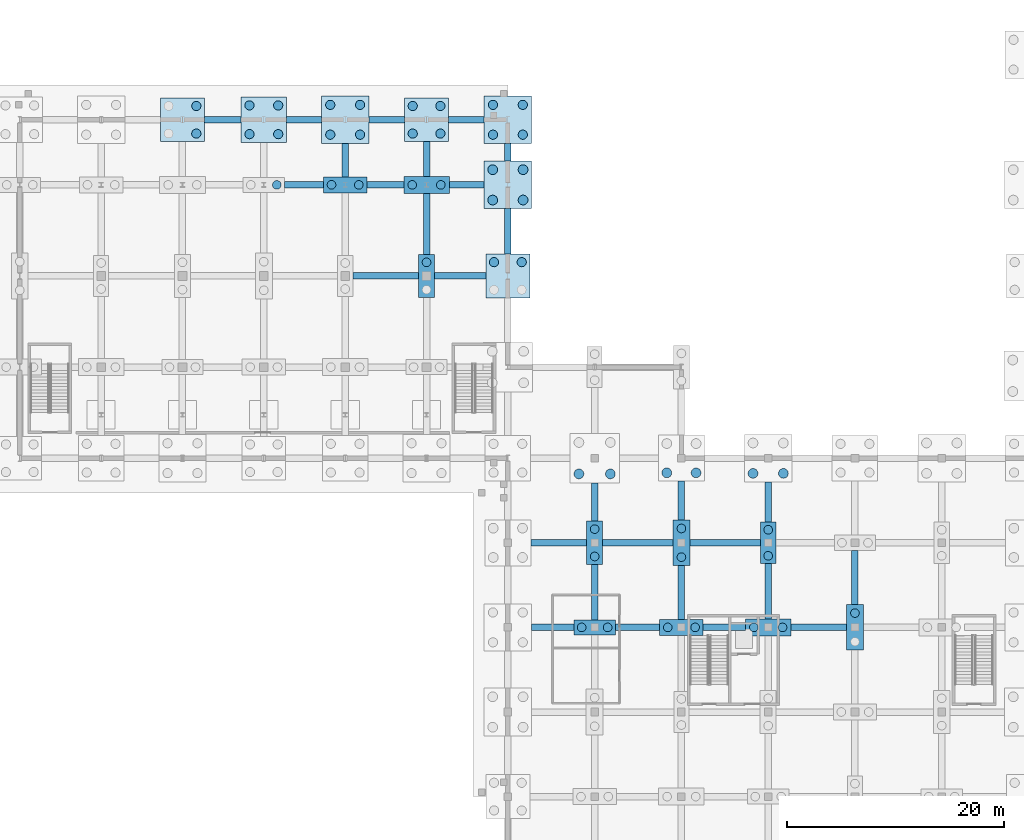
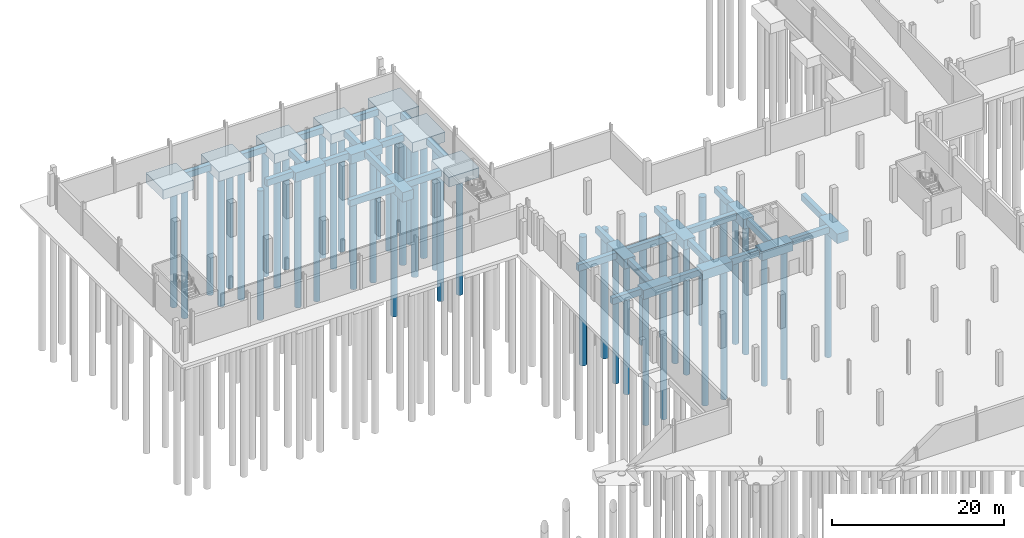
# One storey, part 8 of 44: 49 piles, 45 footings.
"""IFC4 building model written with IfcOpenShell, lengths in metres."""

from ifc_helpers import new_model, si_unit, direction, frame, origin, origin_2d, place, context, subcontext, project, spatial, polyline, rectangle, circle, outline, extrude, material, material_profile, profile_set, type_object, element, save


model = new_model("IFC4")

# Units and contexts
model_context = context("Model", 3, precision=1e-05, world=origin(), true_north=direction((0.0, 1.0)))
body_context = subcontext(model_context, "Body", "Model", "MODEL_VIEW")
ifc_project = project(units=[si_unit("LENGTHUNIT", "METRE"), si_unit("AREAUNIT", "SQUARE_METRE"), si_unit("VOLUMEUNIT", "CUBIC_METRE"), si_unit("PLANEANGLEUNIT", "RADIAN"), si_unit("MASSUNIT", "GRAM", prefix="KILO")], contexts=[model_context])

# Site, building, storey
site_placement = place(None, origin())
site = spatial("IfcSite", under=ifc_project, at=site_placement, CompositionType="ELEMENT")
building_placement = place(site_placement, origin())
building = spatial("IfcBuilding", under=site, at=building_placement, Name="Yukiwa Park Conservatory and Herbarium", CompositionType="ELEMENT")
storey_placement = place(building_placement, frame((0.0, 0.0, -4.800048828125)))
storey = spatial("IfcBuildingStorey", under=building, at=storey_placement, Name="B1", CompositionType="ELEMENT", Elevation=-4.800048828125)

# Footings
ifc_material_1 = material(Name="Concrete C35", Category="concrete")
footing_type_1 = type_object("IfcFootingType", Name="FT-BEAM-600X900", PredefinedType="FOOTING_BEAM", material=ifc_material_1)
footing_1_placement = place(storey_placement, frame((0.0, 0.0, -1.349853515625)))
element("IfcFooting", 1, at=footing_1_placement, inside=storey, type_object=footing_type_1, Name="Foundation tie beam X-76", PredefinedType="FOOTING_BEAM", context=body_context, shape_type="SweptSolid", body=[
    extrude(outline(polyline([(62.179931640625, 62.10009765625), (66.10009765625, 62.10009765625), (66.10009765625, 62.699951171875), (62.179931640625, 62.699951171875), (62.179931640625, 62.10009765625)])), origin(), (0.0, 0.0, 1.0), 0.89990234375),
])
footing_2_placement = place(storey_placement, frame((0.0, 0.0, -1.349853515625)))
element("IfcFooting", 2, at=footing_2_placement, inside=storey, type_object=footing_type_1, Name="Foundation tie beam X-77", PredefinedType="FOOTING_BEAM", context=body_context, shape_type="SweptSolid", body=[
    extrude(outline(polyline([(69.89990234375, 62.10009765625), (74.0, 62.10009765625), (74.0, 62.699951171875), (69.89990234375, 62.699951171875), (69.89990234375, 62.10009765625)])), origin(), (0.0, 0.0, 1.0), 0.89990234375),
])
footing_3_placement = place(storey_placement, frame((0.0, 0.0, -1.349853515625)))
element("IfcFooting", 3, at=footing_3_placement, inside=storey, type_object=footing_type_1, Name="Foundation tie beam X-78", PredefinedType="FOOTING_BEAM", context=body_context, shape_type="SweptSolid", body=[
    extrude(outline(polyline([(78.0, 62.10009765625), (81.89990234375, 62.10009765625), (81.89990234375, 62.699951171875), (78.0, 62.699951171875), (78.0, 62.10009765625)])), origin(), (0.0, 0.0, 1.0), 0.89990234375),
])
footing_4_placement = place(storey_placement, frame((0.0, 0.0, -1.349853515625)))
element("IfcFooting", 4, at=footing_4_placement, inside=storey, type_object=footing_type_1, Name="Foundation tie beam X-79", PredefinedType="FOOTING_BEAM", context=body_context, shape_type="SweptSolid", body=[
    extrude(outline(polyline([(86.10009765625, 62.10009765625), (91.219970703125, 62.10009765625), (91.219970703125, 62.699951171875), (86.10009765625, 62.699951171875), (86.10009765625, 62.10009765625)])), origin(), (0.0, 0.0, 1.0), 0.89990234375),
])
footing_5_placement = place(storey_placement, frame((0.0, 0.0, -1.349853515625)))
element("IfcFooting", 5, at=footing_5_placement, inside=storey, type_object=footing_type_1, Name="Foundation tie beam X-82", PredefinedType="FOOTING_BEAM", context=body_context, shape_type="SweptSolid", body=[
    extrude(outline(polyline([(62.1201171875, 69.89990234375), (67.260009765625, 69.89990234375), (67.260009765625, 70.5), (62.1201171875, 70.5), (62.1201171875, 69.89990234375)])), origin(), (0.0, 0.0, 1.0), 0.89990234375),
])
footing_6_placement = place(storey_placement, frame((0.0, 0.0, -1.349853515625)))
element("IfcFooting", 6, at=footing_6_placement, inside=storey, type_object=footing_type_1, Name="Foundation tie beam X-83", PredefinedType="FOOTING_BEAM", context=body_context, shape_type="SweptSolid", body=[
    extrude(outline(polyline([(68.739990234375, 69.89990234375), (75.219970703125, 69.89990234375), (75.219970703125, 70.5), (68.739990234375, 70.5), (68.739990234375, 69.89990234375)])), origin(), (0.0, 0.0, 1.0), 0.89990234375),
])
footing_7_placement = place(storey_placement, frame((0.0, 0.0, -1.349853515625)))
element("IfcFooting", 7, at=footing_7_placement, inside=storey, type_object=footing_type_1, Name="Foundation tie beam X-84", PredefinedType="FOOTING_BEAM", context=body_context, shape_type="SweptSolid", body=[
    extrude(outline(polyline([(76.780029296875, 69.89990234375), (83.300048828125, 69.89990234375), (83.300048828125, 70.5), (76.780029296875, 70.5), (76.780029296875, 69.89990234375)])), origin(), (0.0, 0.0, 1.0), 0.89990234375),
])
footing_8_placement = place(storey_placement, frame((0.0, 0.0, -1.349853515625)))
element("IfcFooting", 8, at=footing_8_placement, inside=storey, type_object=footing_type_1, Name="Foundation tie beam X-125", PredefinedType="FOOTING_BEAM", context=body_context, shape_type="SweptSolid", body=[
    extrude(outline(polyline([(45.699951171875, 94.5), (51.760009765625, 94.5), (51.760009765625, 95.10009765625), (45.699951171875, 95.10009765625), (45.699951171875, 94.5)])), origin(), (0.0, 0.0, 1.0), 0.89990234375),
])
footing_9_placement = place(storey_placement, frame((0.0, 0.0, -1.349853515625)))
element("IfcFooting", 9, at=footing_9_placement, inside=storey, type_object=footing_type_1, Name="Foundation tie beam X-126", PredefinedType="FOOTING_BEAM", context=body_context, shape_type="SweptSolid", body=[
    extrude(outline(polyline([(53.239990234375, 94.5), (57.97998046875, 94.5), (57.97998046875, 95.10009765625), (53.239990234375, 95.10009765625), (53.239990234375, 94.5)])), origin(), (0.0, 0.0, 1.0), 0.89990234375),
])
footing_10_placement = place(storey_placement, frame((0.0, 0.0, -1.349853515625)))
element("IfcFooting", 10, at=footing_10_placement, inside=storey, type_object=footing_type_1, Name="Foundation tie beam X-137", PredefinedType="FOOTING_BEAM", context=body_context, shape_type="SweptSolid", body=[
    extrude(outline(polyline([(39.39990234375, 102.89990234375), (43.0, 102.89990234375), (43.0, 103.5), (39.39990234375, 103.5), (39.39990234375, 102.89990234375)])), origin(), (0.0, 0.0, 1.0), 0.89990234375),
])
footing_11_placement = place(storey_placement, frame((0.0, 0.0, -1.349853515625)))
element("IfcFooting", 11, at=footing_11_placement, inside=storey, type_object=footing_type_1, Name="Foundation tie beam X-138", PredefinedType="FOOTING_BEAM", context=body_context, shape_type="SweptSolid", body=[
    extrude(outline(polyline([(47.0, 102.89990234375), (50.39990234375, 102.89990234375), (50.39990234375, 103.5), (47.0, 103.5), (47.0, 102.89990234375)])), origin(), (0.0, 0.0, 1.0), 0.89990234375),
])
footing_12_placement = place(storey_placement, frame((0.0, 0.0, -1.349853515625)))
element("IfcFooting", 12, at=footing_12_placement, inside=storey, type_object=footing_type_1, Name="Foundation tie beam X-139", PredefinedType="FOOTING_BEAM", context=body_context, shape_type="SweptSolid", body=[
    extrude(outline(polyline([(54.60009765625, 102.89990234375), (57.800048828125, 102.89990234375), (57.800048828125, 103.5), (54.60009765625, 103.5), (54.60009765625, 102.89990234375)])), origin(), (0.0, 0.0, 1.0), 0.89990234375),
])
footing_13_placement = place(storey_placement, frame((0.0, 0.0, -1.349853515625)))
element("IfcFooting", 13, at=footing_13_placement, inside=storey, type_object=footing_type_1, Name="Foundation tie beam X-149", PredefinedType="FOOTING_BEAM", context=body_context, shape_type="SweptSolid", body=[
    extrude(outline(polyline([(32.02001953125, 108.89990234375), (35.39990234375, 108.89990234375), (35.39990234375, 109.5), (32.02001953125, 109.5), (32.02001953125, 108.89990234375)])), origin(), (0.0, 0.0, 1.0), 0.89990234375),
])
footing_14_placement = place(storey_placement, frame((0.0, 0.0, -1.349853515625)))
element("IfcFooting", 14, at=footing_14_placement, inside=storey, type_object=footing_type_1, Name="Foundation tie beam X-150", PredefinedType="FOOTING_BEAM", context=body_context, shape_type="SweptSolid", body=[
    extrude(outline(polyline([(39.60009765625, 108.89990234375), (42.820068359375, 108.89990234375), (42.820068359375, 109.5), (39.60009765625, 109.5), (39.60009765625, 108.89990234375)])), origin(), (0.0, 0.0, 1.0), 0.89990234375),
])
footing_15_placement = place(storey_placement, frame((0.0, 0.0, -1.349853515625)))
element("IfcFooting", 15, at=footing_15_placement, inside=storey, type_object=footing_type_1, Name="Foundation tie beam X-151", PredefinedType="FOOTING_BEAM", context=body_context, shape_type="SweptSolid", body=[
    extrude(outline(polyline([(47.179931640625, 108.89990234375), (50.47998046875, 108.89990234375), (50.47998046875, 109.5), (47.179931640625, 109.5), (47.179931640625, 108.89990234375)])), origin(), (0.0, 0.0, 1.0), 0.89990234375),
])
footing_16_placement = place(storey_placement, frame((0.0, 0.0, -1.349853515625)))
element("IfcFooting", 16, at=footing_16_placement, inside=storey, type_object=footing_type_1, Name="Foundation tie beam X-152", PredefinedType="FOOTING_BEAM", context=body_context, shape_type="SweptSolid", body=[
    extrude(outline(polyline([(54.52001953125, 108.89990234375), (57.820068359375, 108.89990234375), (57.820068359375, 109.5), (54.52001953125, 109.5), (54.52001953125, 108.89990234375)])), origin(), (0.0, 0.0, 1.0), 0.89990234375),
])
footing_17_placement = place(storey_placement, frame((0.0, 0.0, -1.349853515625)))
element("IfcFooting", 17, at=footing_17_placement, inside=storey, type_object=footing_type_1, Name="Foundation tie beam Y-207", PredefinedType="FOOTING_BEAM", context=body_context, shape_type="SweptSolid", body=[
    extrude(outline(polyline([(44.699951171875, 103.93994140625), (45.300048828125, 103.93994140625), (45.300048828125, 107.02001953125), (44.699951171875, 107.02001953125), (44.699951171875, 103.93994140625)])), origin(), (0.0, 0.0, 1.0), 0.89990234375),
])
footing_18_placement = place(storey_placement, frame((0.0, 0.0, -1.349853515625)))
element("IfcFooting", 18, at=footing_18_placement, inside=storey, type_object=footing_type_1, Name="Foundation tie beam Y-214", PredefinedType="FOOTING_BEAM", context=body_context, shape_type="SweptSolid", body=[
    extrude(outline(polyline([(52.199951171875, 96.800048828125), (52.800048828125, 96.800048828125), (52.800048828125, 102.419921875), (52.199951171875, 102.419921875), (52.199951171875, 96.800048828125)])), origin(), (0.0, 0.0, 1.0), 0.89990234375),
])
footing_19_placement = place(storey_placement, frame((0.0, 0.0, -1.349853515625)))
element("IfcFooting", 19, at=footing_19_placement, inside=storey, type_object=footing_type_1, Name="Foundation tie beam Y-215", PredefinedType="FOOTING_BEAM", context=body_context, shape_type="SweptSolid", body=[
    extrude(outline(polyline([(52.199951171875, 103.97998046875), (52.800048828125, 103.97998046875), (52.800048828125, 107.179931640625), (52.199951171875, 107.179931640625), (52.199951171875, 103.97998046875)])), origin(), (0.0, 0.0, 1.0), 0.89990234375),
])
footing_20_placement = place(storey_placement, frame((0.0, 0.0, -1.349853515625)))
element("IfcFooting", 20, at=footing_20_placement, inside=storey, type_object=footing_type_1, Name="Foundation tie beam Y-227", PredefinedType="FOOTING_BEAM", context=body_context, shape_type="SweptSolid", body=[
    extrude(outline(polyline([(59.699951171875, 96.820068359375), (60.300048828125, 96.820068359375), (60.300048828125, 101.0), (59.699951171875, 101.0), (59.699951171875, 96.820068359375)])), origin(), (0.0, 0.0, 1.0), 0.89990234375),
])
footing_21_placement = place(storey_placement, frame((0.0, 0.0, -1.349853515625)))
element("IfcFooting", 21, at=footing_21_placement, inside=storey, type_object=footing_type_1, Name="Foundation tie beam Y-228", PredefinedType="FOOTING_BEAM", context=body_context, shape_type="SweptSolid", body=[
    extrude(outline(polyline([(59.699951171875, 105.39990234375), (60.300048828125, 105.39990234375), (60.300048828125, 107.02001953125), (59.699951171875, 107.02001953125), (59.699951171875, 105.39990234375)])), origin(), (0.0, 0.0, 1.0), 0.89990234375),
])
footing_22_placement = place(storey_placement, frame((0.0, 0.0, -1.349853515625)))
element("IfcFooting", 22, at=footing_22_placement, inside=storey, type_object=footing_type_1, Name="Foundation tie beam Y-235", PredefinedType="FOOTING_BEAM", context=body_context, shape_type="SweptSolid", body=[
    extrude(outline(polyline([(67.699951171875, 63.10009765625), (68.300048828125, 63.10009765625), (68.300048828125, 68.199951171875), (67.699951171875, 68.199951171875), (67.699951171875, 63.10009765625)])), origin(), (0.0, 0.0, 1.0), 0.89990234375),
])
footing_23_placement = place(storey_placement, frame((0.0, 0.0, -1.349853515625)))
element("IfcFooting", 23, at=footing_23_placement, inside=storey, type_object=footing_type_1, Name="Foundation tie beam Y-236", PredefinedType="FOOTING_BEAM", context=body_context, shape_type="SweptSolid", body=[
    extrude(outline(polyline([(67.699951171875, 72.199951171875), (68.300048828125, 72.199951171875), (68.300048828125, 75.719970703125), (67.699951171875, 75.719970703125), (67.699951171875, 72.199951171875)])), origin(), (0.0, 0.0, 1.0), 0.89990234375),
])
footing_24_placement = place(storey_placement, frame((0.0, 0.0, -1.349853515625)))
element("IfcFooting", 24, at=footing_24_placement, inside=storey, type_object=footing_type_1, Name="Foundation tie beam Y-244", PredefinedType="FOOTING_BEAM", context=body_context, shape_type="SweptSolid", body=[
    extrude(outline(polyline([(75.699951171875, 63.139892578125), (76.300048828125, 63.139892578125), (76.300048828125, 68.10009765625), (75.699951171875, 68.10009765625), (75.699951171875, 63.139892578125)])), origin(), (0.0, 0.0, 1.0), 0.89990234375),
])
footing_25_placement = place(storey_placement, frame((0.0, 0.0, -1.349853515625)))
element("IfcFooting", 25, at=footing_25_placement, inside=storey, type_object=footing_type_1, Name="Foundation tie beam Y-245", PredefinedType="FOOTING_BEAM", context=body_context, shape_type="SweptSolid", body=[
    extrude(outline(polyline([(75.699951171875, 72.300048828125), (76.300048828125, 72.300048828125), (76.300048828125, 75.8798828125), (75.699951171875, 75.8798828125), (75.699951171875, 72.300048828125)])), origin(), (0.0, 0.0, 1.0), 0.89990234375),
])
footing_26_placement = place(storey_placement, frame((0.0, 0.0, -1.349853515625)))
element("IfcFooting", 26, at=footing_26_placement, inside=storey, type_object=footing_type_1, Name="Foundation tie beam Y-253", PredefinedType="FOOTING_BEAM", context=body_context, shape_type="SweptSolid", body=[
    extrude(outline(polyline([(83.699951171875, 63.179931640625), (84.300048828125, 63.179931640625), (84.300048828125, 68.300048828125), (83.699951171875, 68.300048828125), (83.699951171875, 63.179931640625)])), origin(), (0.0, 0.0, 1.0), 0.89990234375),
])
footing_27_placement = place(storey_placement, frame((0.0, 0.0, -1.349853515625)))
element("IfcFooting", 27, at=footing_27_placement, inside=storey, type_object=footing_type_1, Name="Foundation tie beam Y-254", PredefinedType="FOOTING_BEAM", context=body_context, shape_type="SweptSolid", body=[
    extrude(outline(polyline([(83.699951171875, 72.10009765625), (84.300048828125, 72.10009765625), (84.300048828125, 75.800048828125), (83.699951171875, 75.800048828125), (83.699951171875, 72.10009765625)])), origin(), (0.0, 0.0, 1.0), 0.89990234375),
])
footing_28_placement = place(storey_placement, frame((0.0, 0.0, -1.349853515625)))
element("IfcFooting", 28, at=footing_28_placement, inside=storey, type_object=footing_type_1, Name="Foundation tie beam Y-261", PredefinedType="FOOTING_BEAM", context=body_context, shape_type="SweptSolid", body=[
    extrude(outline(polyline([(91.699951171875, 64.5), (92.300048828125, 64.5), (92.300048828125, 69.5), (91.699951171875, 69.5), (91.699951171875, 64.5)])), origin(), (0.0, 0.0, 1.0), 0.89990234375),
])
ifc_material_2 = material(Name="Concrete C35", Category="concrete")
footing_type_2 = type_object("IfcFootingType", Name="FT-PC-1400X3800X1350", PredefinedType="PILE_CAP", material=ifc_material_2)
footing_29_placement = place(storey_placement, frame((84.0, 70.199951171875, -1.800048828125), z_axis=(0.0, 0.0, 1.0), x_axis=(1.0, 0.0, 0.0)))
element("IfcFooting", 29, at=footing_29_placement, inside=storey, type_object=footing_type_2, Name="Reinforced concrete pile cap 112", PredefinedType="PILE_CAP", context=body_context, shape_type="SweptSolid", body=[
    extrude(rectangle(XDim=1.39990234375, YDim=3.800048828125, at=origin_2d()), origin(), (0.0, 0.0, 1.0), 1.35009765625),
])
ifc_material_3 = material(Name="Concrete C35", Category="concrete")
footing_type_3 = type_object("IfcFootingType", Name="FT-PC-1480X4000X1350", PredefinedType="PILE_CAP", material=ifc_material_3)
for number, where, z_axis, x_axis, name in (
    (30, (52.5, 94.800048828125, -1.800048828125), (0.0, 0.0, 1.0), (1.0, 0.0, 0.0), "Reinforced concrete pile cap 68"),
    (31, (68.0, 70.199951171875, -1.800048828125), (0.0, 0.0, 1.0), (1.0, 0.0, 0.0), "Reinforced concrete pile cap 92"),
):
    element("IfcFooting", number, at=place(storey_placement, frame(where, z_axis=z_axis, x_axis=x_axis)), inside=storey, type_object=footing_type_3, Name=name, PredefinedType="PILE_CAP", context=body_context, shape_type="SweptSolid", body=[
        extrude(rectangle(XDim=1.47998046875, YDim=4.0, at=origin_2d()), origin(), (0.0, 0.0, 1.0), 1.35009765625),
    ])
ifc_material_4 = material(Name="Concrete C35", Category="concrete")
footing_type_4 = type_object("IfcFootingType", Name="FT-PC-1560X4200X1350", PredefinedType="PILE_CAP", material=ifc_material_4)
for number, where, z_axis, x_axis, name in (
    (32, (76.0, 70.199951171875, -1.800048828125), (0.0, 0.0, 1.0), (1.0, 0.0, 0.0), "Reinforced concrete pile cap 102"),
    (33, (92.0, 62.39990234375, -1.800048828125), (0.0, 0.0, 1.0), (1.0, 0.0, 0.0), "Reinforced concrete pile cap 120"),
):
    element("IfcFooting", number, at=place(storey_placement, frame(where, z_axis=z_axis, x_axis=x_axis)), inside=storey, type_object=footing_type_4, Name=name, PredefinedType="PILE_CAP", context=body_context, shape_type="SweptSolid", body=[
        extrude(rectangle(XDim=1.56005859375, YDim=4.199951171875, at=origin_2d()), origin(), (0.0, 0.0, 1.0), 1.35009765625),
    ])
ifc_material_5 = material(Name="Concrete C35", Category="concrete")
footing_type_5 = type_object("IfcFootingType", Name="FT-PC-3800X1400X1300", PredefinedType="PILE_CAP", material=ifc_material_5)
footing_30_placement = place(storey_placement, frame((68.0, 62.39990234375, -1.75), z_axis=(0.0, 0.0, 1.0), x_axis=(1.0, 0.0, 0.0)))
element("IfcFooting", 34, at=footing_30_placement, inside=storey, type_object=footing_type_5, Name="Reinforced concrete pile cap 91", PredefinedType="PILE_CAP", context=body_context, shape_type="SweptSolid", body=[
    extrude(rectangle(XDim=3.800048828125, YDim=1.39990234375, at=origin_2d()), origin(), (0.0, 0.0, 1.0), 1.300048828125),
])
ifc_material_6 = material(Name="Concrete C35", Category="concrete")
footing_type_6 = type_object("IfcFootingType", Name="FT-PC-4000X1480X1300", PredefinedType="PILE_CAP", material=ifc_material_6)
for number, where, z_axis, x_axis, name in (
    (35, (45.0, 103.199951171875, -1.75), (0.0, 0.0, 1.0), (1.0, 0.0, 0.0), "Reinforced concrete pile cap 59"),
    (36, (76.0, 62.39990234375, -1.75), (0.0, 0.0, 1.0), (1.0, 0.0, 0.0), "Reinforced concrete pile cap 101"),
):
    element("IfcFooting", number, at=place(storey_placement, frame(where, z_axis=z_axis, x_axis=x_axis)), inside=storey, type_object=footing_type_6, Name=name, PredefinedType="PILE_CAP", context=body_context, shape_type="SweptSolid", body=[
        extrude(rectangle(XDim=4.0, YDim=1.47998046875, at=origin_2d()), origin(), (0.0, 0.0, 1.0), 1.300048828125),
    ])
ifc_material_7 = material(Name="Concrete C35", Category="concrete")
footing_type_7 = type_object("IfcFootingType", Name="FT-PC-4040X4040X1350", PredefinedType="PILE_CAP", material=ifc_material_7)
for number, where, z_axis, x_axis, name in (
    (37, (30.0, 109.199951171875, -1.800048828125), (0.0, 0.0, 1.0), (1.0, 0.0, 0.0), "Reinforced concrete pile cap 40"),
    (38, (52.5, 109.199951171875, -1.800048828125), (0.0, 0.0, 1.0), (1.0, 0.0, 0.0), "Reinforced concrete pile cap 70"),
    (39, (60.0, 94.800048828125, -1.800048828125), (0.0, 0.0, 1.0), (1.0, 0.0, 0.0), "Reinforced concrete pile cap 82"),
):
    element("IfcFooting", number, at=place(storey_placement, frame(where, z_axis=z_axis, x_axis=x_axis)), inside=storey, type_object=footing_type_7, Name=name, PredefinedType="PILE_CAP", context=body_context, shape_type="SweptSolid", body=[
        extrude(rectangle(XDim=4.0400390625, YDim=4.0400390625, at=origin_2d()), origin(), (0.0, 0.0, 1.0), 1.35009765625),
    ])
ifc_material_8 = material(Name="Concrete C35", Category="concrete")
footing_type_8 = type_object("IfcFootingType", Name="FT-PC-4200X1560X1300", PredefinedType="PILE_CAP", material=ifc_material_8)
for number, where, z_axis, x_axis, name in (
    (40, (52.5, 103.199951171875, -1.75), (0.0, 0.0, 1.0), (1.0, 0.0, 0.0), "Reinforced concrete pile cap 69"),
    (41, (84.0, 62.39990234375, -1.75), (0.0, 0.0, 1.0), (1.0, 0.0, 0.0), "Reinforced concrete pile cap 111"),
):
    element("IfcFooting", number, at=place(storey_placement, frame(where, z_axis=z_axis, x_axis=x_axis)), inside=storey, type_object=footing_type_8, Name=name, PredefinedType="PILE_CAP", context=body_context, shape_type="SweptSolid", body=[
        extrude(rectangle(XDim=4.199951171875, YDim=1.56005859375, at=origin_2d()), origin(), (0.0, 0.0, 1.0), 1.300048828125),
    ])
ifc_material_9 = material(Name="Concrete C35", Category="concrete")
footing_type_9 = type_object("IfcFootingType", Name="FT-PC-4200X4200X1350", PredefinedType="PILE_CAP", material=ifc_material_9)
footing_31_placement = place(storey_placement, frame((37.5, 109.199951171875, -1.800048828125), z_axis=(0.0, 0.0, 1.0), x_axis=(1.0, 0.0, 0.0)))
element("IfcFooting", 42, at=footing_31_placement, inside=storey, type_object=footing_type_9, Name="Reinforced concrete pile cap 50", PredefinedType="PILE_CAP", context=body_context, shape_type="SweptSolid", body=[
    extrude(rectangle(XDim=4.199951171875, YDim=4.199951171875, at=origin_2d()), origin(), (0.0, 0.0, 1.0), 1.35009765625),
])
ifc_material_10 = material(Name="Concrete C35", Category="concrete")
footing_type_10 = type_object("IfcFootingType", Name="FT-PC-4360X4360X1350", PredefinedType="PILE_CAP", material=ifc_material_10)
for number, where, z_axis, x_axis, name in (
    (43, (45.0, 109.199951171875, -1.800048828125), (0.0, 0.0, 1.0), (1.0, 0.0, 0.0), "Reinforced concrete pile cap 60"),
    (44, (60.0, 109.199951171875, -1.800048828125), (0.0, 0.0, 1.0), (1.0, 0.0, 0.0), "Reinforced concrete pile cap 84"),
):
    element("IfcFooting", number, at=place(storey_placement, frame(where, z_axis=z_axis, x_axis=x_axis)), inside=storey, type_object=footing_type_10, Name=name, PredefinedType="PILE_CAP", context=body_context, shape_type="SweptSolid", body=[
        extrude(rectangle(XDim=4.360107421875, YDim=4.360107421875, at=origin_2d()), origin(), (0.0, 0.0, 1.0), 1.35009765625),
    ])
ifc_material_11 = material(Name="Concrete C35", Category="concrete")
footing_type_11 = type_object("IfcFootingType", Name="FT-PC-4400X4400X1400", PredefinedType="PILE_CAP", material=ifc_material_11)
footing_32_placement = place(storey_placement, frame((60.0, 103.199951171875, -1.849853515625), z_axis=(0.0, 0.0, 1.0), x_axis=(1.0, 0.0, 0.0)))
element("IfcFooting", 45, at=footing_32_placement, inside=storey, type_object=footing_type_11, Name="Reinforced concrete pile cap 83", PredefinedType="PILE_CAP", context=body_context, shape_type="SweptSolid", body=[
    extrude(rectangle(XDim=4.39990234375, YDim=4.39990234375, at=origin_2d()), origin(), (0.0, 0.0, 1.0), 1.39990234375),
])

# Piles
ifc_material_12 = material(Name="Concrete C35", Category="concrete")
ifc_material_profile_1 = material_profile(ifc_material_12, circle(Radius=0.39990234375, at=origin_2d()), Name="PILE D800")
ifc_profile_set_1 = profile_set([ifc_material_profile_1], Name="Concrete C35")
pile_type_1 = type_object("IfcPileType", Name="PL-BORED-D800", PredefinedType="BORED", material=ifc_profile_set_1)
for number, where, z_axis, x_axis, name in (
    (46, (38.699951171875, 103.199951171875, -1.64990234375), (0.0, 0.0, -1.0), (1.0, 0.0, 0.0), "Bored cast-in-place pile 49.2"),
    (47, (43.739990234375, 103.199951171875, -1.64990234375), (0.0, 0.0, -1.0), (1.0, 0.0, 0.0), "Bored cast-in-place pile 59.1"),
    (48, (46.260009765625, 103.199951171875, -1.64990234375), (0.0, 0.0, -1.0), (1.0, 0.0, 0.0), "Bored cast-in-place pile 59.2"),
):
    element("IfcPile", number, at=place(storey_placement, frame(where, z_axis=z_axis, x_axis=x_axis)), inside=storey, type_object=pile_type_1, Name=name, PredefinedType="BORED", context=body_context, shape_type="SweptSolid", body=[
        extrude(circle(Radius=0.39990234375, at=origin_2d()), origin(), (0.0, 0.0, 1.0), 18.35009765625),
    ])
pile_placement = place(storey_placement, frame((52.5, 96.06005859375, -1.699951171875), z_axis=(0.0, 0.0, -1.0), x_axis=(1.0, 0.0, 0.0)))
element("IfcPile", 49, at=pile_placement, inside=storey, type_object=pile_type_1, Name="Bored cast-in-place pile 68.2", PredefinedType="BORED", context=body_context, shape_type="SweptSolid", body=[
    extrude(circle(Radius=0.39990234375, at=origin_2d()), origin(), (0.0, 0.0, 1.0), 18.300048828125),
])
for number, where, z_axis, x_axis, name in (
    (50, (51.179931640625, 103.199951171875, -1.64990234375), (0.0, 0.0, -1.0), (1.0, 0.0, 0.0), "Bored cast-in-place pile 69.1"),
    (51, (53.820068359375, 103.199951171875, -1.64990234375), (0.0, 0.0, -1.0), (1.0, 0.0, 0.0), "Bored cast-in-place pile 69.2"),
    (52, (66.800048828125, 62.39990234375, -1.64990234375), (0.0, 0.0, -1.0), (1.0, 0.0, 0.0), "Bored cast-in-place pile 91.1"),
    (53, (69.199951171875, 62.39990234375, -1.64990234375), (0.0, 0.0, -1.0), (1.0, 0.0, 0.0), "Bored cast-in-place pile 91.2"),
):
    element("IfcPile", number, at=place(storey_placement, frame(where, z_axis=z_axis, x_axis=x_axis)), inside=storey, type_object=pile_type_1, Name=name, PredefinedType="BORED", context=body_context, shape_type="SweptSolid", body=[
        extrude(circle(Radius=0.39990234375, at=origin_2d()), origin(), (0.0, 0.0, 1.0), 18.35009765625),
    ])
for number, where, z_axis, x_axis, name in (
    (54, (68.0, 68.93994140625, -1.699951171875), (0.0, 0.0, -1.0), (1.0, 0.0, 0.0), "Bored cast-in-place pile 92.1"),
    (55, (68.0, 71.4599609375, -1.699951171875), (0.0, 0.0, -1.0), (1.0, 0.0, 0.0), "Bored cast-in-place pile 92.2"),
):
    element("IfcPile", number, at=place(storey_placement, frame(where, z_axis=z_axis, x_axis=x_axis)), inside=storey, type_object=pile_type_1, Name=name, PredefinedType="BORED", context=body_context, shape_type="SweptSolid", body=[
        extrude(circle(Radius=0.39990234375, at=origin_2d()), origin(), (0.0, 0.0, 1.0), 18.300048828125),
    ])
for number, where, z_axis, x_axis, name in (
    (56, (74.739990234375, 62.39990234375, -1.64990234375), (0.0, 0.0, -1.0), (1.0, 0.0, 0.0), "Bored cast-in-place pile 101.1"),
    (57, (77.260009765625, 62.39990234375, -1.64990234375), (0.0, 0.0, -1.0), (1.0, 0.0, 0.0), "Bored cast-in-place pile 101.2"),
):
    element("IfcPile", number, at=place(storey_placement, frame(where, z_axis=z_axis, x_axis=x_axis)), inside=storey, type_object=pile_type_1, Name=name, PredefinedType="BORED", context=body_context, shape_type="SweptSolid", body=[
        extrude(circle(Radius=0.39990234375, at=origin_2d()), origin(), (0.0, 0.0, 1.0), 18.35009765625),
    ])
for number, where, z_axis, x_axis, name in (
    (58, (76.0, 68.8798828125, -1.699951171875), (0.0, 0.0, -1.0), (1.0, 0.0, 0.0), "Bored cast-in-place pile 102.1"),
    (59, (76.0, 71.52001953125, -1.699951171875), (0.0, 0.0, -1.0), (1.0, 0.0, 0.0), "Bored cast-in-place pile 102.2"),
):
    element("IfcPile", number, at=place(storey_placement, frame(where, z_axis=z_axis, x_axis=x_axis)), inside=storey, type_object=pile_type_1, Name=name, PredefinedType="BORED", context=body_context, shape_type="SweptSolid", body=[
        extrude(circle(Radius=0.39990234375, at=origin_2d()), origin(), (0.0, 0.0, 1.0), 18.300048828125),
    ])
for number, where, z_axis, x_axis, name in (
    (60, (82.679931640625, 62.39990234375, -1.64990234375), (0.0, 0.0, -1.0), (1.0, 0.0, 0.0), "Bored cast-in-place pile 111.1"),
    (61, (85.320068359375, 62.39990234375, -1.64990234375), (0.0, 0.0, -1.0), (1.0, 0.0, 0.0), "Bored cast-in-place pile 111.2"),
):
    element("IfcPile", number, at=place(storey_placement, frame(where, z_axis=z_axis, x_axis=x_axis)), inside=storey, type_object=pile_type_1, Name=name, PredefinedType="BORED", context=body_context, shape_type="SweptSolid", body=[
        extrude(circle(Radius=0.39990234375, at=origin_2d()), origin(), (0.0, 0.0, 1.0), 18.35009765625),
    ])
for number, where, z_axis, x_axis, name in (
    (62, (84.0, 69.0, -1.699951171875), (0.0, 0.0, -1.0), (1.0, 0.0, 0.0), "Bored cast-in-place pile 112.1"),
    (63, (84.0, 71.39990234375, -1.699951171875), (0.0, 0.0, -1.0), (1.0, 0.0, 0.0), "Bored cast-in-place pile 112.2"),
    (64, (92.0, 63.719970703125, -1.699951171875), (0.0, 0.0, -1.0), (1.0, 0.0, 0.0), "Bored cast-in-place pile 120.2"),
):
    element("IfcPile", number, at=place(storey_placement, frame(where, z_axis=z_axis, x_axis=x_axis)), inside=storey, type_object=pile_type_1, Name=name, PredefinedType="BORED", context=body_context, shape_type="SweptSolid", body=[
        extrude(circle(Radius=0.39990234375, at=origin_2d()), origin(), (0.0, 0.0, 1.0), 18.300048828125),
    ])
ifc_material_13 = material(Name="Concrete C35", Category="concrete")
ifc_material_profile_2 = material_profile(ifc_material_13, circle(Radius=0.425048828125, at=origin_2d()), Name="PILE D850")
ifc_profile_set_2 = profile_set([ifc_material_profile_2], Name="Concrete C35")
pile_type_2 = type_object("IfcPileType", Name="PL-BORED-D850", PredefinedType="BORED", material=ifc_profile_set_2)
for number, where, z_axis, x_axis, name in (
    (65, (31.27490234375, 107.925048828125, -1.699951171875), (0.0, 0.0, -1.0), (1.0, 0.0, 0.0), "Bored cast-in-place pile 40.2"),
    (66, (31.27490234375, 110.47509765625, -1.699951171875), (0.0, 0.0, -1.0), (1.0, 0.0, 0.0), "Bored cast-in-place pile 40.4"),
    (67, (36.175048828125, 107.875, -1.699951171875), (0.0, 0.0, -1.0), (1.0, 0.0, 0.0), "Bored cast-in-place pile 50.1"),
    (68, (38.824951171875, 107.875, -1.699951171875), (0.0, 0.0, -1.0), (1.0, 0.0, 0.0), "Bored cast-in-place pile 50.2"),
    (69, (36.175048828125, 110.52490234375, -1.699951171875), (0.0, 0.0, -1.0), (1.0, 0.0, 0.0), "Bored cast-in-place pile 50.3"),
    (70, (38.824951171875, 110.52490234375, -1.699951171875), (0.0, 0.0, -1.0), (1.0, 0.0, 0.0), "Bored cast-in-place pile 50.4"),
    (71, (43.625, 107.824951171875, -1.699951171875), (0.0, 0.0, -1.0), (1.0, 0.0, 0.0), "Bored cast-in-place pile 60.1"),
    (72, (46.375, 107.824951171875, -1.699951171875), (0.0, 0.0, -1.0), (1.0, 0.0, 0.0), "Bored cast-in-place pile 60.2"),
    (73, (43.625, 110.574951171875, -1.699951171875), (0.0, 0.0, -1.0), (1.0, 0.0, 0.0), "Bored cast-in-place pile 60.3"),
    (74, (46.375, 110.574951171875, -1.699951171875), (0.0, 0.0, -1.0), (1.0, 0.0, 0.0), "Bored cast-in-place pile 60.4"),
    (75, (51.22509765625, 107.925048828125, -1.699951171875), (0.0, 0.0, -1.0), (1.0, 0.0, 0.0), "Bored cast-in-place pile 70.1"),
    (76, (53.77490234375, 107.925048828125, -1.699951171875), (0.0, 0.0, -1.0), (1.0, 0.0, 0.0), "Bored cast-in-place pile 70.2"),
    (77, (51.22509765625, 110.47509765625, -1.699951171875), (0.0, 0.0, -1.0), (1.0, 0.0, 0.0), "Bored cast-in-place pile 70.3"),
    (78, (53.77490234375, 110.47509765625, -1.699951171875), (0.0, 0.0, -1.0), (1.0, 0.0, 0.0), "Bored cast-in-place pile 70.4"),
    (79, (58.72509765625, 96.074951171875, -1.699951171875), (0.0, 0.0, -1.0), (1.0, 0.0, 0.0), "Bored cast-in-place pile 82.3"),
    (80, (61.27490234375, 96.074951171875, -1.699951171875), (0.0, 0.0, -1.0), (1.0, 0.0, 0.0), "Bored cast-in-place pile 82.4"),
    (81, (58.625, 107.824951171875, -1.699951171875), (0.0, 0.0, -1.0), (1.0, 0.0, 0.0), "Bored cast-in-place pile 84.1"),
    (82, (61.375, 107.824951171875, -1.699951171875), (0.0, 0.0, -1.0), (1.0, 0.0, 0.0), "Bored cast-in-place pile 84.2"),
    (83, (58.625, 110.574951171875, -1.699951171875), (0.0, 0.0, -1.0), (1.0, 0.0, 0.0), "Bored cast-in-place pile 84.3"),
    (84, (61.375, 110.574951171875, -1.699951171875), (0.0, 0.0, -1.0), (1.0, 0.0, 0.0), "Bored cast-in-place pile 84.4"),
):
    element("IfcPile", number, at=place(storey_placement, frame(where, z_axis=z_axis, x_axis=x_axis)), inside=storey, type_object=pile_type_2, Name=name, PredefinedType="BORED", context=body_context, shape_type="SweptSolid", body=[
        extrude(circle(Radius=0.425048828125, at=origin_2d()), origin(), (0.0, 0.0, 1.0), 18.300048828125),
    ])
ifc_material_14 = material(Name="Concrete C35", Category="concrete")
ifc_material_profile_3 = material_profile(ifc_material_14, circle(Radius=0.449951171875, at=origin_2d()), Name="PILE D900")
ifc_profile_set_3 = profile_set([ifc_material_profile_3], Name="Concrete C35")
pile_type_3 = type_object("IfcPileType", Name="PL-BORED-D900", PredefinedType="BORED", material=ifc_profile_set_3)
for number, where, z_axis, x_axis, name in (
    (85, (58.60009765625, 101.800048828125, -1.75), (0.0, 0.0, -1.0), (1.0, 0.0, 0.0), "Bored cast-in-place pile 83.1"),
    (86, (61.39990234375, 101.800048828125, -1.75), (0.0, 0.0, -1.0), (1.0, 0.0, 0.0), "Bored cast-in-place pile 83.2"),
    (87, (58.60009765625, 104.60009765625, -1.75), (0.0, 0.0, -1.0), (1.0, 0.0, 0.0), "Bored cast-in-place pile 83.3"),
    (88, (61.39990234375, 104.60009765625, -1.75), (0.0, 0.0, -1.0), (1.0, 0.0, 0.0), "Bored cast-in-place pile 83.4"),
    (89, (66.550048828125, 76.550048828125, -1.75), (0.0, 0.0, -1.0), (1.0, 0.0, 0.0), "Bored cast-in-place pile 93.1"),
    (90, (69.449951171875, 76.550048828125, -1.75), (0.0, 0.0, -1.0), (1.0, 0.0, 0.0), "Bored cast-in-place pile 93.2"),
    (91, (74.64990234375, 76.64990234375, -1.75), (0.0, 0.0, -1.0), (1.0, 0.0, 0.0), "Bored cast-in-place pile 103.1"),
    (92, (77.35009765625, 76.64990234375, -1.75), (0.0, 0.0, -1.0), (1.0, 0.0, 0.0), "Bored cast-in-place pile 103.2"),
    (93, (82.60009765625, 76.60009765625, -1.75), (0.0, 0.0, -1.0), (1.0, 0.0, 0.0), "Bored cast-in-place pile 113.1"),
    (94, (85.39990234375, 76.60009765625, -1.75), (0.0, 0.0, -1.0), (1.0, 0.0, 0.0), "Bored cast-in-place pile 113.2"),
):
    element("IfcPile", number, at=place(storey_placement, frame(where, z_axis=z_axis, x_axis=x_axis)), inside=storey, type_object=pile_type_3, Name=name, PredefinedType="BORED", context=body_context, shape_type="SweptSolid", body=[
        extrude(circle(Radius=0.449951171875, at=origin_2d()), origin(), (0.0, 0.0, 1.0), 18.25),
    ])

save(model, "model.ifc")
